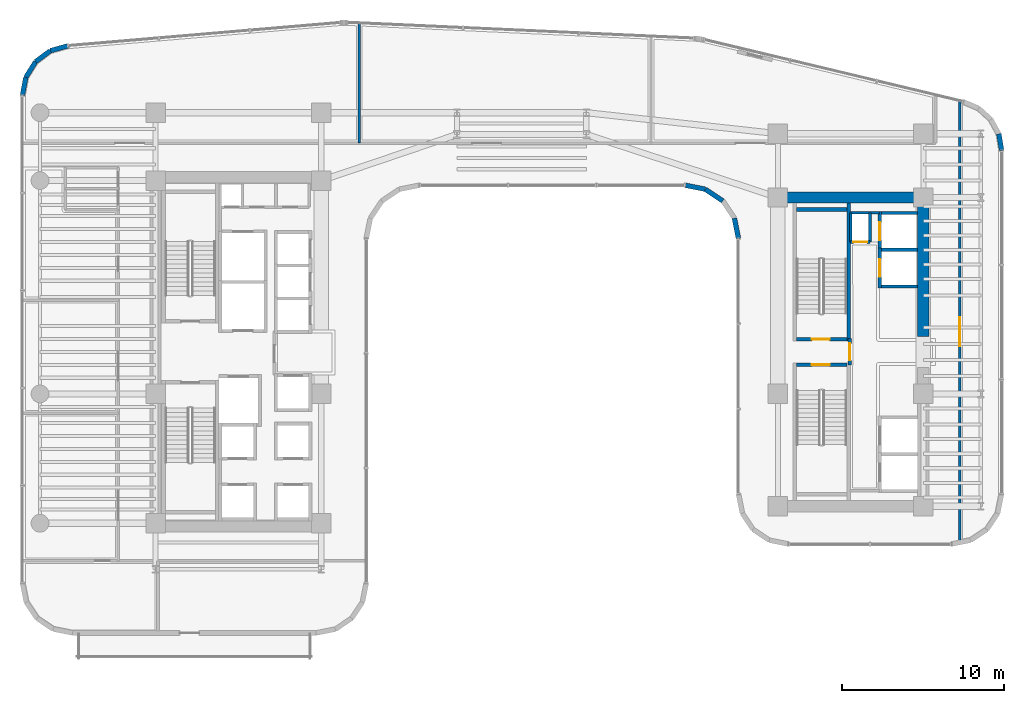
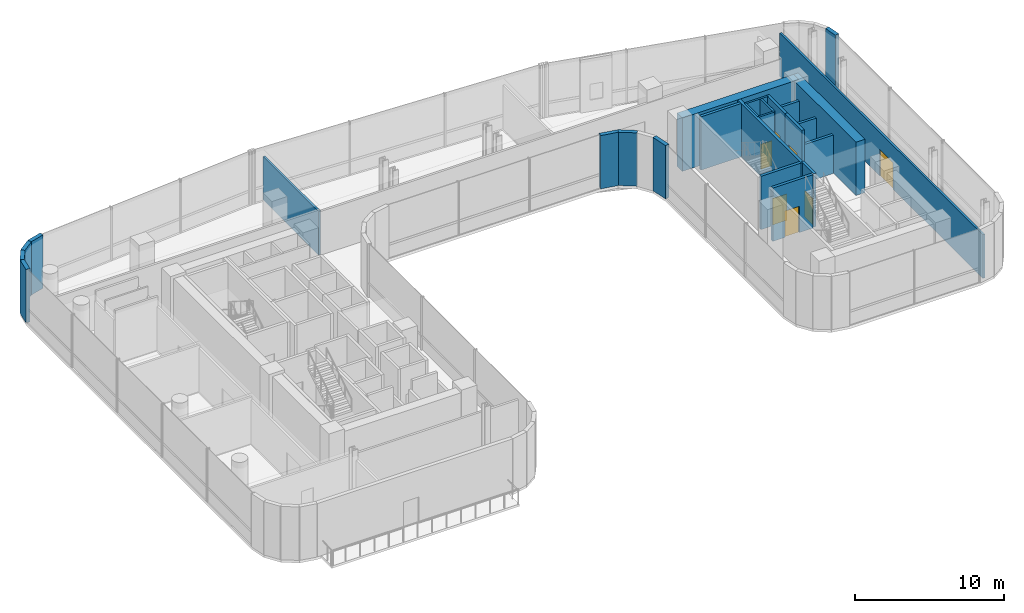
# One storey, part 27 of 32: 26 walls, 7 doors, 7 openings.
"""IFC4 building model written with IfcOpenShell, lengths in metres."""

import ifcopenshell
import ifcopenshell.guid

model = None  # the IFC model being written
_history = None  # IfcOwnerHistory: only IFC2X3 demands one
_inside = {}  # id of a spatial element -> (the spatial element, [elements in it])
_under = {}  # id of a project, library or spatial element -> (it, [spatial elements below it])
_declared = {}  # id of a project -> (the project, [libraries it declares])
_typed = {}  # id of a type object -> (the type object, [elements of that type])
_made_of = {}  # id of a material, layer set ... -> (it, [elements and type objects made of it])


def new_model(schema):
    """Start an empty IFC model of exactly this schema.

    Asked for "IFC4X3", IfcOpenShell would pick the latest addendum, in which some entities
    have other attributes; the version numbers below select the first issue.
    IFC2X3 requires an IfcOwnerHistory on every rooted entity: one is made here for all.
    """
    global model, _history
    if schema == "IFC4X3":
        model = ifcopenshell.file(schema_version=(4, 3, 0, 0))
    else:
        model = ifcopenshell.file(schema=schema)
    _inside.clear()
    _under.clear()
    _declared.clear()
    _typed.clear()
    _made_of.clear()
    _history = None
    if model.schema == "IFC2X3":
        org = make("IfcOrganization", Name="unknown")
        user = make(
            "IfcPersonAndOrganization",
            ThePerson=make("IfcPerson", FamilyName="unknown"),
            TheOrganization=org,
        )
        app = make(
            "IfcApplication",
            ApplicationDeveloper=org,
            Version="unknown",
            ApplicationFullName="unknown",
            ApplicationIdentifier="unknown",
        )
        _history = make(
            "IfcOwnerHistory",
            OwningUser=user,
            OwningApplication=app,
            ChangeAction="ADDED",
            CreationDate=0,
        )
    return model


def make(cls, **values):
    """One entity of the class cls with the attributes given. An attribute that is None is left unset."""
    return model.create_entity(
        cls, **{name: value for name, value in values.items() if value is not None}
    )


def rooted(cls, **values):
    """An entity with a GlobalId (a new one), such as an element, a storey or a relation."""
    return make(cls, GlobalId=ifcopenshell.guid.new(), OwnerHistory=_history, **values)


def si_unit(unit_type, name, prefix=None):
    """IfcSIUnit, for example si_unit("LENGTHUNIT", "METRE", prefix="MILLI")."""
    return make("IfcSIUnit", UnitType=unit_type, Prefix=prefix, Name=name)


def assignment(units):
    """IfcUnitAssignment: the units of a project."""
    return None if units is None else make("IfcUnitAssignment", Units=units)


def point(xyz):
    """IfcCartesianPoint."""
    return None if xyz is None else make("IfcCartesianPoint", Coordinates=xyz)


def direction(xyz):
    """IfcDirection."""
    return None if xyz is None else make("IfcDirection", DirectionRatios=xyz)


def frame(location, z_axis=None, x_axis=None):
    """IfcAxis2Placement3D, a coordinate frame: its origin and axes. An axis left out is left unset."""
    return make(
        "IfcAxis2Placement3D",
        Location=point(location),
        Axis=direction(z_axis),
        RefDirection=direction(x_axis),
    )


def frame_2d(location, x_axis=None):
    """IfcAxis2Placement2D, a coordinate frame in the plane: its origin and x axis."""
    return make(
        "IfcAxis2Placement2D", Location=point(location), RefDirection=direction(x_axis)
    )


def origin():
    """The frame at (0, 0, 0) with its axes left unset."""
    return frame((0.0, 0.0, 0.0))


def place(relative_to, where):
    """IfcLocalPlacement: puts the frame where relative to a parent placement (None: the world)."""
    return make(
        "IfcLocalPlacement", PlacementRelTo=relative_to, RelativePlacement=where
    )


def context(
    kind, dimensions, precision=None, world=None, true_north=None, identifier=None
):
    """IfcGeometricRepresentationContext, for example the 3D "Model" context."""
    return make(
        "IfcGeometricRepresentationContext",
        ContextIdentifier=identifier,
        ContextType=kind,
        CoordinateSpaceDimension=dimensions,
        Precision=precision,
        WorldCoordinateSystem=world,
        TrueNorth=true_north,
    )


def subcontext(parent, identifier, kind, view, scale=None):
    """IfcGeometricRepresentationSubContext, for example "Body" below "Model"."""
    return make(
        "IfcGeometricRepresentationSubContext",
        ContextIdentifier=identifier,
        ContextType=kind,
        ParentContext=parent,
        TargetScale=scale,
        TargetView=view,
    )


def project(units=None, contexts=None):
    """IfcProject with its units and contexts."""
    return rooted(
        "IfcProject",
        Name="project",
        RepresentationContexts=contexts,
        UnitsInContext=assignment(units),
    )


def spatial(cls, under=None, at=None, **own):
    """A site, building, storey or space (cls), placed at a placement, below another one or the project."""
    s = rooted(cls, ObjectPlacement=at, **own)
    if under is not None:
        _under.setdefault(under.id(), (under, []))[1].append(s)
    return s


def profile(cls, at=None, kind="AREA", **sizes):
    """A parametric profile (cls). Its sizes go by their IFC names, for example OverallWidth=200.0."""
    return make(cls, ProfileType=kind, Position=at, **sizes)


def rectangle(**sizes):
    """IfcRectangleProfileDef."""
    return profile("IfcRectangleProfileDef", **sizes)


def extrude(swept, where, along, depth):
    """IfcExtrudedAreaSolid: the profile swept, set in the frame where, extruded along a direction by depth."""
    return make(
        "IfcExtrudedAreaSolid",
        SweptArea=swept,
        Position=where,
        ExtrudedDirection=direction(along),
        Depth=depth,
    )


def shape(context_of_items, identifier, shape_type, items):
    """IfcShapeRepresentation: the items that make up one representation, for example the "Body"."""
    return make(
        "IfcShapeRepresentation",
        ContextOfItems=context_of_items,
        RepresentationIdentifier=identifier,
        RepresentationType=shape_type,
        Items=items,
    )


def material(Name=None, Category=None):
    """IfcMaterial."""
    return make("IfcMaterial", Name=Name, Category=Category)


def layer(
    of_material, thickness, ventilated=None, Name=None, Category=None, Priority=None
):
    """IfcMaterialLayer: one layer of a wall or slab, of a material (None: an air gap)."""
    return make(
        "IfcMaterialLayer",
        Material=of_material,
        LayerThickness=thickness,
        IsVentilated=ventilated,
        Name=Name,
        Category=Category,
        Priority=Priority,
    )


def layer_set(layers, Name=None):
    """IfcMaterialLayerSet."""
    return make("IfcMaterialLayerSet", MaterialLayers=layers, LayerSetName=Name)


def made_of(thing, what):
    """Note that an element or type object is made of a material, layer set ...; save() writes the relation."""
    if what is not None:
        _made_of.setdefault(what.id(), (what, []))[1].append(thing)
    return thing


def type_object(cls, material=None, **own):
    """A type object (cls), such as IfcWallType, which elements share."""
    return made_of(rooted(cls, **own), material)


def element(
    cls,
    number,
    at=None,
    inside=None,
    cuts=None,
    type_object=None,
    material=None,
    context=None,
    identifier="Body",
    shape_type=None,
    held_by="IfcProductDefinitionShape",
    body=None,
    shapes=None,
    **own,
):
    """One element of the class cls, such as IfcWall. Its Tag is "e" and its number.

    at: its placement. inside: the storey or other place that contains it. cuts: it is an
    opening in that element (IfcRelVoidsElement). A single representation is given by context,
    identifier, shape_type and body (its items); several are given by shapes. held_by: the class
    of the entity that holds the representations. save() writes the other relations.
    """
    e = rooted(cls, Tag="e%d" % number, ObjectPlacement=at, **own)
    if body is not None:
        shapes = [shape(context, identifier, shape_type, body)]
    if shapes is not None:
        e.Representation = make(held_by, Representations=shapes)
    if inside is not None:
        _inside.setdefault(inside.id(), (inside, []))[1].append(e)
    if cuts is not None:
        rooted(
            "IfcRelVoidsElement", RelatingBuildingElement=cuts, RelatedOpeningElement=e
        )
    if type_object is not None:
        _typed.setdefault(type_object.id(), (type_object, []))[1].append(e)
    return made_of(e, material)


def fill(opening, filler):
    """IfcRelFillsElement: the door or window that sits in an opening."""
    return rooted(
        "IfcRelFillsElement",
        RelatingOpeningElement=opening,
        RelatedBuildingElement=filler,
    )


def aggregate(whole, parts):
    """IfcRelAggregates: a whole, such as a stair, and the parts it consists of."""
    return rooted("IfcRelAggregates", RelatingObject=whole, RelatedObjects=parts)


def save(model, path):
    """Write the relations noted so far, then the file.

    IfcRelAggregates (storeys below a building ...), IfcRelContainedInSpatialStructure (elements
    in a storey), IfcRelDefinesByType, IfcRelAssociatesMaterial and IfcRelDeclares: one each for
    every whole, place, type object, material and project.
    """
    for whole, parts in _under.values():
        aggregate(whole, parts)
    for where, things in _inside.values():
        rooted(
            "IfcRelContainedInSpatialStructure",
            RelatedElements=things,
            RelatingStructure=where,
        )
    for kind, things in _typed.values():
        rooted("IfcRelDefinesByType", RelatedObjects=things, RelatingType=kind)
    for what, things in _made_of.values():
        rooted("IfcRelAssociatesMaterial", RelatedObjects=things, RelatingMaterial=what)
    for by, libraries in _declared.values():
        rooted("IfcRelDeclares", RelatingContext=by, RelatedDefinitions=libraries)
    model.write(path)


model = new_model("IFC4")

# Units and contexts
model_context = context("Model", 3, precision=1e-05, world=origin(), true_north=direction((0.0, 1.0)))
body_context = subcontext(model_context, "Body", "Model", "MODEL_VIEW")
ifc_project = project(units=[si_unit("LENGTHUNIT", "METRE"), si_unit("AREAUNIT", "SQUARE_METRE"), si_unit("VOLUMEUNIT", "CUBIC_METRE"), si_unit("PLANEANGLEUNIT", "RADIAN"), si_unit("MASSUNIT", "GRAM", prefix="KILO")], contexts=[model_context])

# Site, building, storey
site_placement = place(None, origin())
site = spatial("IfcSite", under=ifc_project, at=site_placement, CompositionType="ELEMENT")
building_placement = place(site_placement, origin())
building = spatial("IfcBuilding", under=site, at=building_placement, Name="Valdorenza Pilgrim Sanctuary Tower", CompositionType="ELEMENT")
storey_placement = place(building_placement, frame((0.0, 0.0, 101.10009765625)))
storey = spatial("IfcBuildingStorey", under=building, at=storey_placement, Name="L25", CompositionType="ELEMENT", Elevation=101.10009765625)

# Wall, opening, door
ifc_material_1 = material(Name="Acoustic twin-stud gypsum partition", Category="gypsum")
ifc_layer_1 = layer(ifc_material_1, 0.159912109375, Name="Acoustic twin-stud gypsum partition")
ifc_layer_set_1 = layer_set([ifc_layer_1], Name="Acoustic twin-stud gypsum partition")
wall_type_1 = type_object("IfcWallType", Name="WAL-COR-160", PredefinedType="PARTITIONING", material=ifc_layer_set_1)
wall_1_placement = place(storey_placement, frame((20.35009765625, 6.800048828125, 0.0), z_axis=(0.0, 0.0, 1.0), x_axis=(1.0, 0.0, 0.0)))
wall_1 = element("IfcWall", 1, at=wall_1_placement, inside=storey, type_object=wall_type_1, Name="L25 Core B Riser South Wall", PredefinedType="PARTITIONING", context=body_context, shape_type="SweptSolid", body=[
    extrude(rectangle(XDim=1.199951171875, YDim=0.159912109375, at=frame_2d((0.60009765625, 0.0))), origin(), (0.0, 0.0, 1.0), 4.35986328125),
])
opening_1_placement = place(wall_1_placement, frame((0.175048828125, 0.0, 0.0)))
opening_1 = element("IfcOpeningElement", 2, at=opening_1_placement, cuts=wall_1, Name="Opening DR-RS1", PredefinedType="OPENING", context=body_context, shape_type="SweptSolid", body=[
    extrude(rectangle(XDim=0.85009765625, YDim=2.050048828125, at=frame_2d((0.425048828125, 1.02490234375))), frame((0.0, 0.0947265625, 0.0), z_axis=(0.0, -1.0, 0.0), x_axis=(1.0, 0.0, 0.0)), (0.0, 0.0, 1.0), 0.189697265625),
])
ifc_material_2 = material(Name="Painted galvanized steel", Category="steel")
door_type_1 = type_object("IfcDoorType", Name="DR-RSR-850", OperationType="NOTDEFINED", PredefinedType="DOOR", material=ifc_material_2)
door_1_placement = place(opening_1_placement, origin())
door_1 = element("IfcDoor", 3, at=door_1_placement, inside=storey, type_object=door_type_1, Name="L25 Core B Electrical Riser Door", OperationType="SINGLE_SWING_LEFT", OverallHeight=2.050048828125, OverallWidth=0.85009765625, PredefinedType="DOOR", context=body_context, shape_type="SweptSolid", body=[
    extrude(rectangle(XDim=0.85009765625, YDim=2.050048828125, at=frame_2d((0.425048828125, 1.02490234375))), frame((0.0, 0.02490234375, 0.0), z_axis=(0.0, -1.0, 0.0), x_axis=(1.0, 0.0, 0.0)), (0.0, 0.0, 1.0), 0.050048828125),
])
fill(opening_1, door_1)

# Walls
for number, where, z_axis, x_axis, name in (
    (4, (21.550048828125, 6.800048828125, 0.0), (0.0, 0.0, 1.0), (0.0, 1.0, 0.0), "L25 Core B Riser East Wall"),
    (5, (20.35009765625, 6.800048828125, 0.0), (0.0, 0.0, 1.0), (0.0, 1.0, 0.0), "L25 Core B Riser West Wall"),
):
    element("IfcWall", number, at=place(storey_placement, frame(where, z_axis=z_axis, x_axis=x_axis)), inside=storey, type_object=wall_type_1, Name=name, PredefinedType="PARTITIONING", context=body_context, shape_type="SweptSolid", body=[
        extrude(rectangle(XDim=1.800048828125, YDim=0.159912109375, at=frame_2d((0.89990234375, 0.0))), origin(), (0.0, 0.0, 1.0), 4.35986328125),
    ])
wall_2_placement = place(storey_placement, frame((20.300048828125, 8.60009765625, 0.0), z_axis=(0.0, 0.0, 1.0), x_axis=(1.0, 0.0, 0.0)))
element("IfcWall", 6, at=wall_2_placement, inside=storey, type_object=wall_type_1, Name="L25 Core B Lift Hall North End Wall", PredefinedType="PARTITIONING", context=body_context, shape_type="SweptSolid", body=[
    extrude(rectangle(XDim=1.820068359375, YDim=0.159912109375, at=frame_2d((0.91015625, 0.0))), origin(), (0.0, 0.0, 1.0), 4.35986328125),
])

# Wall, opening, door
wall_3_placement = place(storey_placement, frame((27.10009765625, -11.660888671875, 0.0), z_axis=(0.0, 0.0, 1.0), x_axis=(0.0, 1.0, 0.0)))
wall_3 = element("IfcWall", 7, at=wall_3_placement, inside=storey, type_object=wall_type_1, Name="L25 L25 East Wing Lounge Wall", PredefinedType="PARTITIONING", context=body_context, shape_type="SweptSolid", body=[
    extrude(rectangle(XDim=27.194091796875, YDim=0.159912109375, at=frame_2d((13.59716796875, 0.0))), origin(), (0.0, 0.0, 1.0), 3.56591796875),
])
opening_2_placement = place(wall_3_placement, frame((12.0, 0.0, 0.0)))
opening_2 = element("IfcOpeningElement", 8, at=opening_2_placement, cuts=wall_3, Name="Opening DR-HL1", PredefinedType="OPENING", context=body_context, shape_type="SweptSolid", body=[
    extrude(rectangle(XDim=1.800048828125, YDim=2.14990234375, at=frame_2d((0.89990234375, 1.074951171875))), frame((0.0, 0.0947265625, 0.0), z_axis=(0.0, -1.0, 0.0), x_axis=(1.0, 0.0, 0.0)), (0.0, 0.0, 1.0), 0.189697265625),
])
ifc_material_3 = material(Name="Acoustic oak and vision-glass double door", Category="glass")
door_type_2 = type_object("IfcDoorType", Name="DR-HALL-1800", OperationType="NOTDEFINED", PredefinedType="DOOR", material=ifc_material_3)
door_2_placement = place(opening_2_placement, frame((1.800048828125, 0.0, 0.0), z_axis=(0.0, 0.0, 1.0), x_axis=(-1.0, 0.0, 0.0)))
door_2 = element("IfcDoor", 9, at=door_2_placement, inside=storey, type_object=door_type_2, Name="L25 L25 East Retreat Salon Door", OperationType="DOUBLE_DOOR_SINGLE_SWING", OverallHeight=2.14990234375, OverallWidth=1.800048828125, PredefinedType="DOOR", context=body_context, shape_type="SweptSolid", body=[
    extrude(rectangle(XDim=1.800048828125, YDim=2.14990234375, at=frame_2d((0.89990234375, 1.074951171875))), frame((0.0, 0.02490234375, 0.0), z_axis=(0.0, -1.0, 0.0), x_axis=(1.0, 0.0, 0.0)), (0.0, 0.0, 1.0), 0.050048828125),
])
fill(opening_2, door_2)

# Walls
ifc_material_4 = material(Name="Concrete C60/75", Category="concrete")
ifc_layer_2 = layer(ifc_material_4, 0.699951171875, Name="Concrete C60/75")
ifc_layer_set_2 = layer_set([ifc_layer_2], Name="Concrete C60/75")
wall_type_2 = type_object("IfcWallType", Name="WAL-COR-700", PredefinedType="SHEAR", material=ifc_layer_set_2)
wall_4_placement = place(storey_placement, frame((24.85009765625, 0.949951171875, 0.0), z_axis=(0.0, 0.0, 1.0), x_axis=(0.0, 1.0, 0.0)))
element("IfcWall", 10, at=wall_4_placement, inside=storey, type_object=wall_type_2, Name="L25 Split Core B Shear Wall EN", PredefinedType="SHEAR", context=body_context, shape_type="SweptSolid", body=[
    extrude(rectangle(XDim=8.949951171875, YDim=0.699951171875, at=frame_2d((4.47509765625, 0.0))), origin(), (0.0, 0.0, 1.0), 4.35986328125),
])
wall_5_placement = place(storey_placement, frame((15.85009765625, 9.550048828125, 0.0), z_axis=(0.0, 0.0, 1.0), x_axis=(1.0, 0.0, 0.0)))
element("IfcWall", 11, at=wall_5_placement, inside=storey, type_object=wall_type_2, Name="L25 Split Core B Shear Wall N", PredefinedType="SHEAR", context=body_context, shape_type="SweptSolid", body=[
    extrude(rectangle(XDim=9.0, YDim=0.699951171875, at=frame_2d((4.5, 0.0))), origin(), (0.0, 0.0, 1.0), 4.35986328125),
])
ifc_material_5 = material(Name="Honed travertine limestone", Category="masonry")
ifc_layer_3 = layer(ifc_material_5, 0.300048828125, Name="Honed travertine limestone")
ifc_layer_set_3 = layer_set([ifc_layer_3], Name="Honed travertine limestone")
wall_type_3 = type_object("IfcWallType", Name="WAL-EXT-300", PredefinedType="SOLIDWALL", material=ifc_layer_set_3)
wall_6_placement = place(storey_placement, frame((-30.889892578125, 15.850341796875, 0.0), z_axis=(0.0, 0.0, 1.0), x_axis=(0.184557499391, 0.982821718023, 0.0)))
element("IfcWall", 12, at=wall_6_placement, inside=storey, type_object=wall_type_3, Name="L25 Rounded Wind-Corner Stone Pier 2", PredefinedType="SOLIDWALL", context=body_context, shape_type="SweptSolid", body=[
    extrude(rectangle(XDim=1.15087890625, YDim=0.300048828125, at=frame_2d((0.575439453125, 0.0))), origin(), (0.0, 0.0, 1.0), 4.35986328125),
])
wall_7_placement = place(storey_placement, frame((-30.677490234375, 16.9814453125, 0.0), z_axis=(0.0, 0.0, 1.0), x_axis=(0.52880576008, 0.848742875143, 0.0)))
element("IfcWall", 13, at=wall_7_placement, inside=storey, type_object=wall_type_3, Name="L25 Rounded Wind-Corner Stone Pier 3", PredefinedType="SOLIDWALL", context=body_context, shape_type="SweptSolid", body=[
    extrude(rectangle(XDim=1.140869140625, YDim=0.300048828125, at=frame_2d((0.5703125, 0.0))), origin(), (0.0, 0.0, 1.0), 4.35986328125),
])
wall_8_placement = place(storey_placement, frame((-30.07421875, 17.94970703125, 0.0), z_axis=(0.0, 0.0, 1.0), x_axis=(0.800975009324, 0.598697782223, 0.0)))
element("IfcWall", 14, at=wall_8_placement, inside=storey, type_object=wall_type_3, Name="L25 Rounded Wind-Corner Stone Pier 4", PredefinedType="SOLIDWALL", context=body_context, shape_type="SweptSolid", body=[
    extrude(rectangle(XDim=1.140625, YDim=0.300048828125, at=frame_2d((0.5703125, 0.0))), origin(), (0.0, 0.0, 1.0), 4.35986328125),
])
wall_9_placement = place(storey_placement, frame((-29.16064453125, 18.632568359375, 0.0), z_axis=(0.0, 0.0, 1.0), x_axis=(0.963624193367, 0.267260947313, 0.0)))
element("IfcWall", 15, at=wall_9_placement, inside=storey, type_object=wall_type_3, Name="L25 Rounded Wind-Corner Stone Pier 5", PredefinedType="SOLIDWALL", context=body_context, shape_type="SweptSolid", body=[
    extrude(rectangle(XDim=1.15087890625, YDim=0.300048828125, at=frame_2d((0.575439453125, 0.0))), origin(), (0.0, 0.0, 1.0), 4.35986328125),
])
wall_10_placement = place(storey_placement, frame((29.517822265625, 13.48779296875, 0.0), z_axis=(0.0, 0.0, 1.0), x_axis=(0.166156796952, -0.986099345313, 0.0)))
element("IfcWall", 16, at=wall_10_placement, inside=storey, type_object=wall_type_3, Name="L25 Rounded Wind-Corner Stone Pier 20", PredefinedType="SOLIDWALL", context=body_context, shape_type="SweptSolid", body=[
    extrude(rectangle(XDim=1.035888671875, YDim=0.300048828125, at=frame_2d((0.51806640625, 0.0))), origin(), (0.0, 0.0, 1.0), 4.35986328125),
])
wall_11_placement = place(storey_placement, frame((13.409912109375, 7.0107421875, 0.0), z_axis=(0.0, 0.0, 1.0), x_axis=(-0.195090163074, 0.980785312019, 0.0)))
element("IfcWall", 17, at=wall_11_placement, inside=storey, type_object=wall_type_3, Name="L25 Rounded Wind-Corner Stone Pier 32", PredefinedType="SOLIDWALL", context=body_context, shape_type="SweptSolid", body=[
    extrude(rectangle(XDim=1.281494140625, YDim=0.300048828125, at=frame_2d((0.640625, 0.0))), origin(), (0.0, 0.0, 1.0), 4.35986328125),
])
wall_12_placement = place(storey_placement, frame((12.44189453125, 9.342041015625, 0.0), z_axis=(0.0, 0.0, 1.0), x_axis=(-0.831439431869, 0.555615398575, 0.0)))
element("IfcWall", 18, at=wall_12_placement, inside=storey, type_object=wall_type_3, Name="L25 Rounded Wind-Corner Stone Pier 34", PredefinedType="SOLIDWALL", context=body_context, shape_type="SweptSolid", body=[
    extrude(rectangle(XDim=1.292236328125, YDim=0.300048828125, at=frame_2d((0.64599609375, 0.0))), origin(), (0.0, 0.0, 1.0), 4.35986328125),
])
wall_13_placement = place(storey_placement, frame((11.367431640625, 10.06005859375, 0.0), z_axis=(0.0, 0.0, 1.0), x_axis=(-0.980778058848, 0.195126623715, 0.0)))
element("IfcWall", 19, at=wall_13_placement, inside=storey, type_object=wall_type_3, Name="L25 Rounded Wind-Corner Stone Pier 35", PredefinedType="SOLIDWALL", context=body_context, shape_type="SweptSolid", body=[
    extrude(rectangle(XDim=1.28125, YDim=0.300048828125, at=frame_2d((0.640625, 0.0))), origin(), (0.0, 0.0, 1.0), 4.35986328125),
])

# Wall, opening, door
ifc_material_6 = material(Name="Gypsum shaftwall partition", Category="gypsum")
ifc_layer_4 = layer(ifc_material_6, 0.199951171875, Name="Gypsum shaftwall partition")
ifc_layer_set_4 = layer_set([ifc_layer_4], Name="Gypsum shaftwall partition")
wall_type_4 = type_object("IfcWallType", Name="WAL-FFL-200", PredefinedType="PARTITIONING", material=ifc_layer_set_4)
wall_14_placement = place(storey_placement, frame((20.300048828125, -0.820068359375, 0.0), z_axis=(0.0, 0.0, 1.0), x_axis=(0.0, 1.0, 0.0)))
wall_14 = element("IfcWall", 20, at=wall_14_placement, inside=storey, type_object=wall_type_4, Name="L25 Core B Firefighting Lobby East Wall", PredefinedType="PARTITIONING", context=body_context, shape_type="SweptSolid", body=[
    extrude(rectangle(XDim=1.64013671875, YDim=0.199951171875, at=frame_2d((0.820068359375, 0.0))), origin(), (0.0, 0.0, 1.0), 4.35986328125),
])
opening_3_placement = place(wall_14_placement, frame((0.294921875, 0.0, 0.0)))
opening_3 = element("IfcOpeningElement", 21, at=opening_3_placement, cuts=wall_14, Name="Opening DR-FL1", PredefinedType="OPENING", context=body_context, shape_type="SweptSolid", body=[
    extrude(rectangle(XDim=1.050048828125, YDim=2.14990234375, at=frame_2d((0.52490234375, 1.074951171875))), frame((0.0, 0.11474609375, 0.0), z_axis=(0.0, -1.0, 0.0), x_axis=(1.0, 0.0, 0.0)), (0.0, 0.0, 1.0), 0.229736328125),
])
door_type_3 = type_object("IfcDoorType", Name="DR-FFL-1050", OperationType="NOTDEFINED", PredefinedType="DOOR", material=ifc_material_2)
door_3_placement = place(opening_3_placement, origin())
door_3 = element("IfcDoor", 22, at=door_3_placement, inside=storey, type_object=door_type_3, Name="L25 Core B Firefighting Lobby Door", OperationType="SINGLE_SWING_RIGHT", OverallHeight=2.14990234375, OverallWidth=1.050048828125, PredefinedType="DOOR", context=body_context, shape_type="SweptSolid", body=[
    extrude(rectangle(XDim=1.050048828125, YDim=2.14990234375, at=frame_2d((0.52490234375, 1.074951171875))), frame((0.0, 0.02490234375, 0.0), z_axis=(0.0, -1.0, 0.0), x_axis=(1.0, 0.0, 0.0)), (0.0, 0.0, 1.0), 0.050048828125),
])
fill(opening_3, door_3)

ifc_material_7 = material(Name="Autoclaved aerated concrete blockwork", Category="masonry")
ifc_layer_5 = layer(ifc_material_7, 0.199951171875, Name="Autoclaved aerated concrete blockwork")
ifc_layer_set_5 = layer_set([ifc_layer_5], Name="Autoclaved aerated concrete blockwork")
wall_type_5 = type_object("IfcWallType", Name="WAL-SHF-200", PredefinedType="MOVABLE", material=ifc_layer_set_5)
wall_15_placement = place(storey_placement, frame((22.14990234375, 3.949951171875, 0.0), z_axis=(0.0, 0.0, 1.0), x_axis=(0.0, 1.0, 0.0)))
wall_15 = element("IfcWall", 23, at=wall_15_placement, inside=storey, type_object=wall_type_5, Name="L25 Lift PL-07 Hoistway Wall West", PredefinedType="MOVABLE", context=body_context, shape_type="SweptSolid", body=[
    extrude(rectangle(XDim=2.47509765625, YDim=0.199951171875, at=frame_2d((1.237548828125, 0.0))), origin(), (0.0, 0.0, 1.0), 4.35986328125),
])
opening_4_placement = place(wall_15_placement, frame((0.6875, 0.0, 0.0)))
opening_4 = element("IfcOpeningElement", 24, at=opening_4_placement, cuts=wall_15, Name="Opening LD-01", PredefinedType="OPENING", context=body_context, shape_type="SweptSolid", body=[
    extrude(rectangle(XDim=1.10009765625, YDim=2.10009765625, at=frame_2d((0.550048828125, 1.050048828125))), frame((0.0, 0.11474609375, 0.0), z_axis=(0.0, -1.0, 0.0), x_axis=(1.0, 0.0, 0.0)), (0.0, 0.0, 1.0), 0.229736328125),
])
ifc_material_8 = material(Name="Brushed stainless steel Grade 316", Category="steel")
door_type_4 = type_object("IfcDoorType", Name="DR-LFT-1100", OperationType="DOUBLE_DOOR_SLIDING", PredefinedType="DOOR", material=ifc_material_8)
door_4_placement = place(opening_4_placement, origin())
door_4 = element("IfcDoor", 25, at=door_4_placement, inside=storey, type_object=door_type_4, Name="L25 Lift PL-07 Sliding Landing Door", OperationType="DOUBLE_DOOR_SLIDING", OverallHeight=2.10009765625, OverallWidth=1.10009765625, PredefinedType="DOOR", context=body_context, shape_type="SweptSolid", body=[
    extrude(rectangle(XDim=1.10009765625, YDim=2.10009765625, at=frame_2d((0.550048828125, 1.050048828125))), frame((0.0, 0.02490234375, 0.0), z_axis=(0.0, -1.0, 0.0), x_axis=(1.0, 0.0, 0.0)), (0.0, 0.0, 1.0), 0.050048828125),
])
fill(opening_4, door_4)

# Walls
for number, where, z_axis, x_axis, name in (
    (26, (22.25, 4.050048828125, 0.0), (0.0, 0.0, 1.0), (1.0, 0.0, 0.0), "L25 Lift PL-07 Hoistway Wall South"),
    (27, (22.25, 6.324951171875, 0.0), (0.0, 0.0, 1.0), (1.0, 0.0, 0.0), "L25 Lift PL-07 Hoistway Wall North"),
):
    element("IfcWall", number, at=place(storey_placement, frame(where, z_axis=z_axis, x_axis=x_axis)), inside=storey, type_object=wall_type_5, Name=name, PredefinedType="MOVABLE", context=body_context, shape_type="SweptSolid", body=[
        extrude(rectangle(XDim=2.22998046875, YDim=0.199951171875, at=frame_2d((1.114990234375, 0.0))), origin(), (0.0, 0.0, 1.0), 3.14501953125),
    ])

# Wall, opening, door
wall_16_placement = place(storey_placement, frame((22.14990234375, 6.22509765625, 0.0), z_axis=(0.0, 0.0, 1.0), x_axis=(0.0, 1.0, 0.0)))
wall_16 = element("IfcWall", 28, at=wall_16_placement, inside=storey, type_object=wall_type_5, Name="L25 Lift PL-08 Hoistway Wall West", PredefinedType="MOVABLE", context=body_context, shape_type="SweptSolid", body=[
    extrude(rectangle(XDim=2.474853515625, YDim=0.199951171875, at=frame_2d((1.2373046875, 0.0))), origin(), (0.0, 0.0, 1.0), 4.35986328125),
])
opening_5_placement = place(wall_16_placement, frame((0.6875, 0.0, 0.0)))
opening_5 = element("IfcOpeningElement", 29, at=opening_5_placement, cuts=wall_16, Name="Opening LD-01", PredefinedType="OPENING", context=body_context, shape_type="SweptSolid", body=[
    extrude(rectangle(XDim=1.10009765625, YDim=2.10009765625, at=frame_2d((0.550048828125, 1.050048828125))), frame((0.0, 0.11474609375, 0.0), z_axis=(0.0, -1.0, 0.0), x_axis=(1.0, 0.0, 0.0)), (0.0, 0.0, 1.0), 0.229736328125),
])
door_5_placement = place(opening_5_placement, origin())
door_5 = element("IfcDoor", 30, at=door_5_placement, inside=storey, type_object=door_type_4, Name="L25 Lift PL-08 Sliding Landing Door", OperationType="DOUBLE_DOOR_SLIDING", OverallHeight=2.10009765625, OverallWidth=1.10009765625, PredefinedType="DOOR", context=body_context, shape_type="SweptSolid", body=[
    extrude(rectangle(XDim=1.10009765625, YDim=2.10009765625, at=frame_2d((0.550048828125, 1.050048828125))), frame((0.0, 0.02490234375, 0.0), z_axis=(0.0, -1.0, 0.0), x_axis=(1.0, 0.0, 0.0)), (0.0, 0.0, 1.0), 0.050048828125),
])
fill(opening_5, door_5)

# Walls
wall_17_placement = place(storey_placement, frame((22.25, 8.60009765625, 0.0), z_axis=(0.0, 0.0, 1.0), x_axis=(1.0, 0.0, 0.0)))
element("IfcWall", 31, at=wall_17_placement, inside=storey, type_object=wall_type_5, Name="L25 Lift PL-08 Hoistway Wall North", PredefinedType="MOVABLE", context=body_context, shape_type="SweptSolid", body=[
    extrude(rectangle(XDim=2.22998046875, YDim=0.199951171875, at=frame_2d((1.114990234375, 0.0))), origin(), (0.0, 0.0, 1.0), 3.14501953125),
])
ifc_material_9 = material(Name="Concrete C40/50", Category="concrete")
ifc_layer_6 = layer(ifc_material_9, 0.219970703125, Name="Concrete C40/50")
ifc_layer_set_6 = layer_set([ifc_layer_6], Name="Concrete C40/50")
wall_type_6 = type_object("IfcWallType", Name="WAL-STR-SHF-220", PredefinedType="SHEAR", material=ifc_layer_set_6)
wall_18_placement = place(storey_placement, frame((20.219970703125, 0.679931640625, 0.0), z_axis=(0.0, 0.0, 1.0), x_axis=(0.0, 1.0, 0.0)))
element("IfcWall", 32, at=wall_18_placement, inside=storey, type_object=wall_type_6, Name="L25 ST-B1 Structural Stairwell Wall E", PredefinedType="SHEAR", context=body_context, shape_type="SweptSolid", body=[
    extrude(rectangle(XDim=8.52001953125, YDim=0.219970703125, at=frame_2d((4.260009765625, 0.0))), origin(), (0.0, 0.0, 1.0), 4.35986328125),
])

# Wall, opening, door
wall_19_placement = place(storey_placement, frame((17.0, 0.7900390625, 0.0), z_axis=(0.0, 0.0, 1.0), x_axis=(1.0, 0.0, 0.0)))
wall_19 = element("IfcWall", 33, at=wall_19_placement, inside=storey, type_object=wall_type_6, Name="L25 ST-B1 Structural Stairwell Wall S", PredefinedType="SHEAR", context=body_context, shape_type="SweptSolid", body=[
    extrude(rectangle(XDim=3.110107421875, YDim=0.219970703125, at=frame_2d((1.55517578125, 0.0))), origin(), (0.0, 0.0, 1.0), 4.35986328125),
])
opening_6_placement = place(wall_19_placement, frame((0.949951171875, 0.0, 0.0)))
opening_6 = element("IfcOpeningElement", 34, at=opening_6_placement, cuts=wall_19, Name="Opening DR-ST1", PredefinedType="OPENING", context=body_context, shape_type="SweptSolid", body=[
    extrude(rectangle(XDim=1.10009765625, YDim=2.14990234375, at=frame_2d((0.550048828125, 1.074951171875))), frame((0.0, 0.125, 0.0), z_axis=(0.0, -1.0, 0.0), x_axis=(1.0, 0.0, 0.0)), (0.0, 0.0, 1.0), 0.249755859375),
])
door_type_5 = type_object("IfcDoorType", Name="DR-STAIR-1100", OperationType="NOTDEFINED", PredefinedType="DOOR", material=ifc_material_2)
door_6_placement = place(opening_6_placement, frame((1.10009765625, 0.0, 0.0), z_axis=(0.0, 0.0, 1.0), x_axis=(-1.0, 0.0, 0.0)))
door_6 = element("IfcDoor", 35, at=door_6_placement, inside=storey, type_object=door_type_5, Name="L25 Exit Stair ST-B1 Door", OperationType="SINGLE_SWING_LEFT", OverallHeight=2.14990234375, OverallWidth=1.10009765625, PredefinedType="DOOR", context=body_context, shape_type="SweptSolid", body=[
    extrude(rectangle(XDim=1.10009765625, YDim=2.14990234375, at=frame_2d((0.550048828125, 1.074951171875))), frame((0.0, 0.02490234375, 0.0), z_axis=(0.0, -1.0, 0.0), x_axis=(1.0, 0.0, 0.0)), (0.0, 0.0, 1.0), 0.050048828125),
])
fill(opening_6, door_6)

# Wall
wall_20_placement = place(storey_placement, frame((17.0, 8.81005859375, 0.0), z_axis=(0.0, 0.0, 1.0), x_axis=(1.0, 0.0, 0.0)))
element("IfcWall", 36, at=wall_20_placement, inside=storey, type_object=wall_type_6, Name="L25 ST-B1 Structural Stairwell Wall N", PredefinedType="SHEAR", context=body_context, shape_type="SweptSolid", body=[
    extrude(rectangle(XDim=3.110107421875, YDim=0.219970703125, at=frame_2d((1.55517578125, 0.0))), origin(), (0.0, 0.0, 1.0), 4.35986328125),
])

# Wall, opening, door
wall_21_placement = place(storey_placement, frame((17.0, -0.7900390625, 0.0), z_axis=(0.0, 0.0, 1.0), x_axis=(1.0, 0.0, 0.0)))
wall_21 = element("IfcWall", 37, at=wall_21_placement, inside=storey, type_object=wall_type_6, Name="L25 ST-B2 Structural Stairwell Wall N", PredefinedType="SHEAR", context=body_context, shape_type="SweptSolid", body=[
    extrude(rectangle(XDim=3.110107421875, YDim=0.219970703125, at=frame_2d((1.55517578125, 0.0))), origin(), (0.0, 0.0, 1.0), 4.35986328125),
])
opening_7_placement = place(wall_21_placement, frame((0.949951171875, 0.0, 0.0)))
opening_7 = element("IfcOpeningElement", 38, at=opening_7_placement, cuts=wall_21, Name="Opening DR-ST1", PredefinedType="OPENING", context=body_context, shape_type="SweptSolid", body=[
    extrude(rectangle(XDim=1.10009765625, YDim=2.14990234375, at=frame_2d((0.550048828125, 1.074951171875))), frame((0.0, 0.125, 0.0), z_axis=(0.0, -1.0, 0.0), x_axis=(1.0, 0.0, 0.0)), (0.0, 0.0, 1.0), 0.249755859375),
])
door_7_placement = place(opening_7_placement, origin())
door_7 = element("IfcDoor", 39, at=door_7_placement, inside=storey, type_object=door_type_5, Name="L25 Exit Stair ST-B2 Door", OperationType="SINGLE_SWING_RIGHT", OverallHeight=2.14990234375, OverallWidth=1.10009765625, PredefinedType="DOOR", context=body_context, shape_type="SweptSolid", body=[
    extrude(rectangle(XDim=1.10009765625, YDim=2.14990234375, at=frame_2d((0.550048828125, 1.074951171875))), frame((0.0, 0.02490234375, 0.0), z_axis=(0.0, -1.0, 0.0), x_axis=(1.0, 0.0, 0.0)), (0.0, 0.0, 1.0), 0.050048828125),
])
fill(opening_7, door_7)

# Wall
ifc_layer_7 = layer(ifc_material_1, 0.14990234375, Name="Acoustic twin-stud gypsum partition")
ifc_layer_set_7 = layer_set([ifc_layer_7], Name="Acoustic twin-stud gypsum partition")
wall_type_7 = type_object("IfcWallType", Name="WAL-UNT-150", PredefinedType="PARTITIONING", material=ifc_layer_set_7)
wall_22_placement = place(storey_placement, frame((-10.050048828125, 12.919921875, 0.0), z_axis=(0.0, 0.0, 1.0), x_axis=(0.0, 1.0, 0.0)))
element("IfcWall", 40, at=wall_22_placement, inside=storey, type_object=wall_type_7, Name="L25 Sky North Salon East Wall", PredefinedType="PARTITIONING", context=body_context, shape_type="SweptSolid", body=[
    extrude(rectangle(XDim=7.4267578125, YDim=0.14990234375, at=frame_2d((3.71337890625, 0.0))), origin(), (0.0, 0.0, 1.0), 3.56591796875),
])

save(model, "model.ifc")
